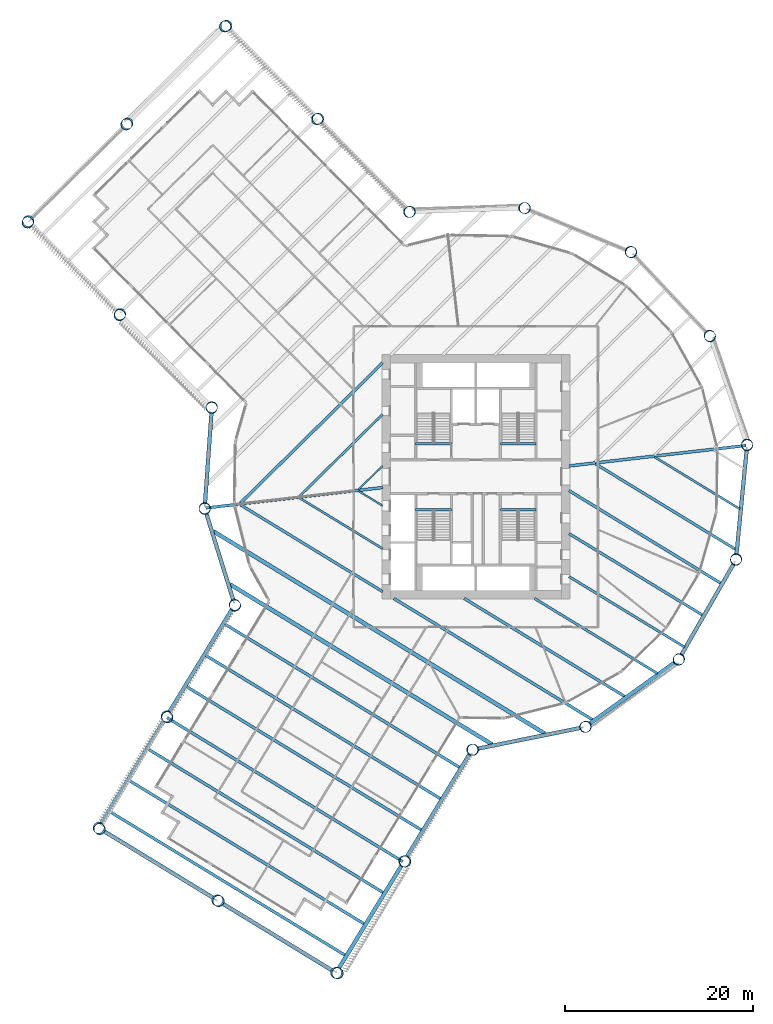
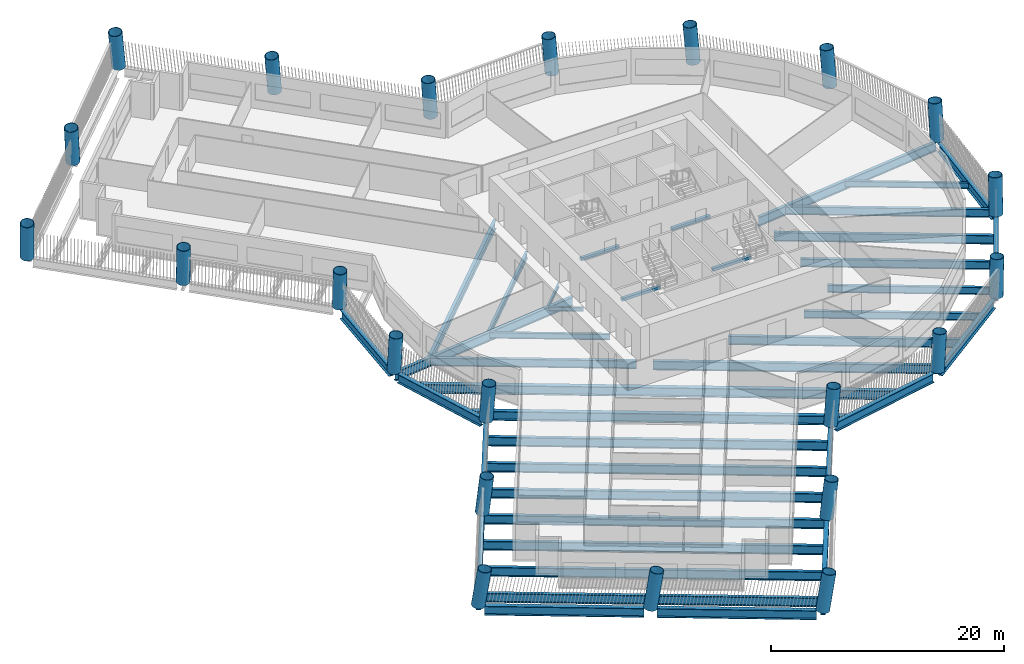
# One storey, part 1 of 15: 41 beams, 22 columns.
"""IFC4 building model written with IfcOpenShell, lengths in metres."""

from ifc_helpers import new_model, si_unit, direction, frame, origin, origin_2d, place, context, subcontext, project, spatial, rectangle, hollow_circle, i_section, extrude, material, material_profile, profile_set, type_object, element, save


model = new_model("IFC4")

# Units and contexts
model_context = context("Model", 3, precision=1e-05, world=origin(), true_north=direction((0.0, 1.0)))
body_context = subcontext(model_context, "Body", "Model", "MODEL_VIEW")
ifc_project = project(units=[si_unit("LENGTHUNIT", "METRE"), si_unit("AREAUNIT", "SQUARE_METRE"), si_unit("VOLUMEUNIT", "CUBIC_METRE"), si_unit("PLANEANGLEUNIT", "RADIAN"), si_unit("MASSUNIT", "GRAM", prefix="KILO")], contexts=[model_context])

# Site, building, storey
site_placement = place(None, origin())
site = spatial("IfcSite", under=ifc_project, at=site_placement, CompositionType="ELEMENT")
building_placement = place(site_placement, origin())
building = spatial("IfcBuilding", under=site, at=building_placement, Name="Tarsis Ring Headquarters", CompositionType="ELEMENT")
storey_placement = place(building_placement, frame((0.0, 0.0, 75.10009765625)))
storey = spatial("IfcBuildingStorey", under=building, at=storey_placement, Name="L16", CompositionType="ELEMENT", Elevation=75.10009765625)

# Columns
ifc_material_1 = material(Name="Structural steel S460", Category="steel")
ifc_material_profile_1 = material_profile(ifc_material_1, hollow_circle(Radius=0.609619140625, WallThickness=0.050048828125, at=origin_2d()), Name="CHS 1219x50")
ifc_profile_set_1 = profile_set([ifc_material_profile_1], Name="Structural steel S460")
column_type = type_object("IfcColumnType", Name="XC Exo column CHS 1219x50", PredefinedType="COLUMN", material=ifc_profile_set_1)
column_1_placement = place(storey_placement, frame((-28.85595703125, -3.3388671875, 0.00048828125), z_axis=(0.009302351837, -0.077165817921, 0.996974875709), x_axis=(0.992812078053, 0.119683656659, 0.0)))
element("IfcColumn", 1, at=column_1_placement, inside=storey, type_object=column_type, Name="Exo column XC1 F1", PredefinedType="COLUMN", context=body_context, shape_type="SweptSolid", body=[
    extrude(hollow_circle(Radius=0.609619140625, WallThickness=0.050048828125, at=origin_2d()), origin(), (0.0, 0.0, 1.0), 3.910400390625),
])
column_2_placement = place(storey_placement, frame((-25.655517578125, -13.6240234375, 0.00048828125), z_axis=(0.036834700279, -0.06848756984, 0.996971743648), x_axis=(0.880703004601, 0.473668890351, 0.0)))
element("IfcColumn", 2, at=column_2_placement, inside=storey, type_object=column_type, Name="Exo column XC1 AK", PredefinedType="COLUMN", context=body_context, shape_type="SweptSolid", body=[
    extrude(hollow_circle(Radius=0.609619140625, WallThickness=0.050048828125, at=origin_2d()), origin(), (0.0, 0.0, 1.0), 3.91064453125),
])
column_3_placement = place(storey_placement, frame((-32.898681640625, -25.490234375, 0.000732421875), z_axis=(0.068523590192, -0.087443818546, 0.993809889358), x_axis=(0.78711472242, 0.616806625896, 0.0)))
element("IfcColumn", 3, at=column_3_placement, inside=storey, type_object=column_type, Name="Exo column XC1 AI1", PredefinedType="COLUMN", context=body_context, shape_type="SweptSolid", body=[
    extrude(hollow_circle(Radius=0.609619140625, WallThickness=0.050048828125, at=origin_2d()), origin(), (0.0, 0.0, 1.0), 3.922607421875),
])
column_4_placement = place(storey_placement, frame((-40.141845703125, -37.356689453125, 0.000732421875), z_axis=(0.099819538262, -0.106077622288, 0.989334927025), x_axis=(0.728262431789, 0.685298351409, 0.0)))
element("IfcColumn", 4, at=column_4_placement, inside=storey, type_object=column_type, Name="Exo column XC1 AT1", PredefinedType="COLUMN", context=body_context, shape_type="SweptSolid", body=[
    extrude(hollow_circle(Radius=0.609619140625, WallThickness=0.050048828125, at=origin_2d()), origin(), (0.0, 0.0, 1.0), 3.940185546875),
])
column_5_placement = place(storey_placement, frame((-27.50927734375, -45.067626953125, 0.000732421875), z_axis=(0.120235173808, -0.072488353884, 0.990095420417), x_axis=(0.51631324303, 0.856399810294, 0.0)))
element("IfcColumn", 5, at=column_5_placement, inside=storey, type_object=column_type, Name="Exo column XC1 AT2", PredefinedType="COLUMN", context=body_context, shape_type="SweptSolid", body=[
    extrude(hollow_circle(Radius=0.609619140625, WallThickness=0.050048828125, at=origin_2d()), origin(), (0.0, 0.0, 1.0), 3.937255859375),
])
column_6_placement = place(storey_placement, frame((-14.876708984375, -52.778564453125, 0.000732421875), z_axis=(0.14040404367, -0.038787701385, 0.989334230047), x_axis=(0.266283379159, 0.963894787818, 0.0)))
element("IfcColumn", 6, at=column_6_placement, inside=storey, type_object=column_type, Name="Exo column XC1 AT3", PredefinedType="COLUMN", context=body_context, shape_type="SweptSolid", body=[
    extrude(hollow_circle(Radius=0.609619140625, WallThickness=0.050048828125, at=origin_2d()), origin(), (0.0, 0.0, 1.0), 3.940185546875),
])
column_7_placement = place(storey_placement, frame((-7.633544921875, -40.912109375, 0.000732421875), z_axis=(0.109289545256, -0.019791614688, 0.993812903562), x_axis=(0.178195028517, 0.983995188917, 0.0)))
element("IfcColumn", 7, at=column_7_placement, inside=storey, type_object=column_type, Name="Exo column XC1 AO1", PredefinedType="COLUMN", context=body_context, shape_type="SweptSolid", body=[
    extrude(hollow_circle(Radius=0.609619140625, WallThickness=0.050048828125, at=origin_2d()), origin(), (0.0, 0.0, 1.0), 3.922607421875),
])
column_8_placement = place(storey_placement, frame((-0.390380859375, -29.0458984375, 0.00048828125), z_axis=(0.077789724631, -0.000624315607, 0.996969592802), x_axis=(0.008025423722, 0.999967795768, 0.0)))
element("IfcColumn", 8, at=column_8_placement, inside=storey, type_object=column_type, Name="Exo column XC1 AJ", PredefinedType="COLUMN", context=body_context, shape_type="SweptSolid", body=[
    extrude(hollow_circle(Radius=0.609619140625, WallThickness=0.050048828125, at=origin_2d()), origin(), (0.0, 0.0, 1.0), 3.91064453125),
])
column_9_placement = place(storey_placement, frame((11.616943359375, -26.62451171875, 0.00048828125), z_axis=(0.071109724883, 0.031465585023, 0.996972077837), x_axis=(-0.404648058593, 0.914472497496, 0.0)))
element("IfcColumn", 9, at=column_9_placement, inside=storey, type_object=column_type, Name="Exo column XC1 R1", PredefinedType="COLUMN", context=body_context, shape_type="SweptSolid", body=[
    extrude(hollow_circle(Radius=0.609619140625, WallThickness=0.050048828125, at=origin_2d()), origin(), (0.0, 0.0, 1.0), 3.910400390625),
])
for number, where, z_axis, x_axis, name in (
    (10, (21.558349609375, -19.46923828125, 0.00048828125), (0.051818263546, 0.057998996186, 0.996970904292), (-0.745723983199, 0.6662550119, 0.0), "Exo column XC1 R2"),
    (11, (27.666748046875, -8.852294921875, 0.00048828125), (0.023349359062, 0.074230983755, 0.996967686779), (-0.953921566742, 0.300056068933, 0.0), "Exo column XC1 R3"),
):
    element("IfcColumn", number, at=place(storey_placement, frame(where, z_axis=z_axis, x_axis=x_axis)), inside=storey, type_object=column_type, Name=name, PredefinedType="COLUMN", context=body_context, shape_type="SweptSolid", body=[
        extrude(hollow_circle(Radius=0.609619140625, WallThickness=0.050048828125, at=origin_2d()), origin(), (0.0, 0.0, 1.0), 3.91064453125),
    ])
column_10_placement = place(storey_placement, frame((28.85595703125, 3.3388671875, 0.00048828125), z_axis=(-0.009302351837, 0.077165817921, 0.996974875709), x_axis=(-0.992812078053, -0.119683656659, 0.0)))
element("IfcColumn", 12, at=column_10_placement, inside=storey, type_object=column_type, Name="Exo column XC1 R4", PredefinedType="COLUMN", context=body_context, shape_type="SweptSolid", body=[
    extrude(hollow_circle(Radius=0.609619140625, WallThickness=0.050048828125, at=origin_2d()), origin(), (0.0, 0.0, 1.0), 3.910400390625),
])
for number, where, z_axis, x_axis, name in (
    (13, (24.914306640625, 14.93603515625, 0.00048828125), (-0.040330872705, 0.066489751441, 0.996971681473), (-0.8550036713, -0.51862194522, 0.0), "Exo column XC1 R5"),
    (14, (16.54296875, 23.877685546875, 0.00048828125), (-0.064179671415, 0.043951837234, 0.996970012478), (-0.565029134838, -0.825070952576, 0.0), "Exo column XC1 R6"),
):
    element("IfcColumn", number, at=place(storey_placement, frame(where, z_axis=z_axis, x_axis=x_axis)), inside=storey, type_object=column_type, Name=name, PredefinedType="COLUMN", context=body_context, shape_type="SweptSolid", body=[
        extrude(hollow_circle(Radius=0.609619140625, WallThickness=0.050048828125, at=origin_2d()), origin(), (0.0, 0.0, 1.0), 3.91064453125),
    ])
for number, where, z_axis, x_axis, name in (
    (15, (5.22998046875, 28.57373046875, 0.00048828125), (-0.07654139414, 0.013610133705, 0.9969735098), (-0.175067932863, -0.984556356377, 0.0), "Exo column XC1 R7"),
    (16, (-7.0126953125, 28.189208984375, 0.00048828125), (-0.075355116691, -0.019166545836, 0.996972542204), (0.246501040352, -0.969142526724, 0.0), "Exo column XC1 BJ"),
):
    element("IfcColumn", number, at=place(storey_placement, frame(where, z_axis=z_axis, x_axis=x_axis)), inside=storey, type_object=column_type, Name=name, PredefinedType="COLUMN", context=body_context, shape_type="SweptSolid", body=[
        extrude(hollow_circle(Radius=0.609619140625, WallThickness=0.050048828125, at=origin_2d()), origin(), (0.0, 0.0, 1.0), 3.910400390625),
    ])
column_11_placement = place(storey_placement, frame((-16.774169921875, 38.088134765625, 0.000732421875), z_axis=(-0.101447147749, -0.045308910161, 0.993808622861), x_axis=(0.407800967141, -0.913070846758, 0.0)))
element("IfcColumn", 17, at=column_11_placement, inside=storey, type_object=column_type, Name="Exo column XC1 BO1", PredefinedType="COLUMN", context=body_context, shape_type="SweptSolid", body=[
    extrude(hollow_circle(Radius=0.609619140625, WallThickness=0.050048828125, at=origin_2d()), origin(), (0.0, 0.0, 1.0), 3.922607421875),
])
column_12_placement = place(storey_placement, frame((-26.535888671875, 47.98681640625, 0.000732421875), z_axis=(-0.127082347571, -0.071193377552, 0.989333907197), x_axis=(0.488745841983, -0.872426215759, 0.0)))
element("IfcColumn", 18, at=column_12_placement, inside=storey, type_object=column_type, Name="Exo column XC1 BT3", PredefinedType="COLUMN", context=body_context, shape_type="SweptSolid", body=[
    extrude(hollow_circle(Radius=0.609619140625, WallThickness=0.050048828125, at=origin_2d()), origin(), (0.0, 0.0, 1.0), 3.940185546875),
])
column_13_placement = place(storey_placement, frame((-37.07373046875, 37.594970703125, 0.000732421875), z_axis=(-0.09946218031, -0.099090127266, 0.990095157733), x_axis=(0.705780545016, -0.708430534546, 0.0)))
element("IfcColumn", 19, at=column_13_placement, inside=storey, type_object=column_type, Name="Exo column XC1 BT2", PredefinedType="COLUMN", context=body_context, shape_type="SweptSolid", body=[
    extrude(hollow_circle(Radius=0.609619140625, WallThickness=0.050048828125, at=origin_2d()), origin(), (0.0, 0.0, 1.0), 3.937255859375),
])
column_14_placement = place(storey_placement, frame((-47.61181640625, 27.202880859375, 0.000732421875), z_axis=(-0.07156549732, -0.126835128151, 0.989338784169), x_axis=(0.870927110088, -0.491412218931, 0.0)))
element("IfcColumn", 20, at=column_14_placement, inside=storey, type_object=column_type, Name="Exo column XC1 BT1", PredefinedType="COLUMN", context=body_context, shape_type="SweptSolid", body=[
    extrude(hollow_circle(Radius=0.609619140625, WallThickness=0.050048828125, at=origin_2d()), origin(), (0.0, 0.0, 1.0), 3.940185546875),
])
column_15_placement = place(storey_placement, frame((-37.85009765625, 17.30419921875, 0.000732421875), z_axis=(-0.045682711447, -0.101199031079, 0.993816807054), x_axis=(0.911438414105, -0.411436528876, 0.0)))
element("IfcColumn", 21, at=column_15_placement, inside=storey, type_object=column_type, Name="Exo column XC1 BI1", PredefinedType="COLUMN", context=body_context, shape_type="SweptSolid", body=[
    extrude(hollow_circle(Radius=0.609619140625, WallThickness=0.050048828125, at=origin_2d()), origin(), (0.0, 0.0, 1.0), 3.922607421875),
])
column_16_placement = place(storey_placement, frame((-28.088623046875, 7.405517578125, 0.00048828125), z_axis=(-0.019416270585, -0.075292676288, 0.99697242757), x_axis=(0.968321175622, -0.249708031193, 0.0)))
element("IfcColumn", 22, at=column_16_placement, inside=storey, type_object=column_type, Name="Exo column XC1 BK", PredefinedType="COLUMN", context=body_context, shape_type="SweptSolid", body=[
    extrude(hollow_circle(Radius=0.609619140625, WallThickness=0.050048828125, at=origin_2d()), origin(), (0.0, 0.0, 1.0), 3.910400390625),
])

# Beams
ifc_material_2 = material(Name="Structural steel S355", Category="steel")
ifc_material_profile_2 = material_profile(ifc_material_2, i_section(OverallWidth=0.177734375, OverallDepth=0.406494140625, WebThickness=0.0078125, FlangeThickness=0.0126953125, at=origin_2d()), Name="W16x40")
ifc_profile_set_2 = profile_set([ifc_material_profile_2], Name="Structural steel S355")
beam_type_1 = type_object("IfcBeamType", Name="FB Floor beam W16x40", PredefinedType="JOIST", material=ifc_profile_set_2)
beam_1_placement = place(storey_placement, frame((-12.455810546875, -1.53515625, -0.36328125), z_axis=(0.853539154742, -0.521028704893, 0.0), x_axis=(0.521028704893, 0.853539154742, 0.0)))
element("IfcBeam", 23, at=beam_1_placement, inside=storey, type_object=beam_type_1, Name="Floor beam FB1", PredefinedType="JOIST", context=body_context, shape_type="SweptSolid", body=[
    extrude(i_section(OverallWidth=0.177734375, OverallDepth=0.406494140625, WebThickness=0.0078125, FlangeThickness=0.0126953125, at=origin_2d()), origin(), (0.0, 0.0, 1.0), 2.977294921875),
])
beam_2_placement = place(storey_placement, frame((-9.9287109375, 1.16357421875, -0.36328125), z_axis=(-0.712034647693, -0.702144330238, 0.0), x_axis=(0.702144330238, -0.712034647693, 0.0)))
element("IfcBeam", 24, at=beam_2_placement, inside=storey, type_object=beam_type_1, Name="Floor beam FB1", PredefinedType="JOIST", context=body_context, shape_type="SweptSolid", body=[
    extrude(i_section(OverallWidth=0.177734375, OverallDepth=0.406494140625, WebThickness=0.0078125, FlangeThickness=0.0126953125, at=origin_2d()), origin(), (0.0, 0.0, 1.0), 3.579345703125),
])
ifc_material_profile_3 = material_profile(ifc_material_2, i_section(OverallWidth=0.228271484375, OverallDepth=0.607177734375, WebThickness=0.01123046875, FlangeThickness=0.017333984375, at=origin_2d()), Name="W24x76")
ifc_profile_set_3 = profile_set([ifc_material_profile_3], Name="Structural steel S355")
beam_type_2 = type_object("IfcBeamType", Name="FB Floor beam W24x76", PredefinedType="JOIST", material=ifc_profile_set_3)
beam_3_placement = place(storey_placement, frame((19.007568359375, 2.105224609375, -0.463623046875), z_axis=(0.853551615099, -0.521008292027, 0.0), x_axis=(0.521008292027, 0.853551615099, 0.0)))
element("IfcBeam", 25, at=beam_3_placement, inside=storey, type_object=beam_type_2, Name="Floor beam FB4", PredefinedType="JOIST", context=body_context, shape_type="SweptSolid", body=[
    extrude(i_section(OverallWidth=0.228271484375, OverallDepth=0.607177734375, WebThickness=0.01123046875, FlangeThickness=0.017333984375, at=origin_2d()), origin(), (0.0, 0.0, 1.0), 10.62109375),
])
beam_4_placement = place(storey_placement, frame((-18.74853515625, -2.26318359375, -0.463623046875), z_axis=(0.853548782409, -0.521012932707, 0.0), x_axis=(0.521012932707, 0.853548782409, 0.0)))
element("IfcBeam", 26, at=beam_4_placement, inside=storey, type_object=beam_type_2, Name="Floor beam FB4", PredefinedType="JOIST", context=body_context, shape_type="SweptSolid", body=[
    extrude(i_section(OverallWidth=0.228271484375, OverallDepth=0.607177734375, WebThickness=0.01123046875, FlangeThickness=0.017333984375, at=origin_2d()), origin(), (0.0, 0.0, 1.0), 10.349609375),
])
ifc_material_profile_4 = material_profile(ifc_material_2, i_section(OverallWidth=0.2529296875, OverallDepth=0.67822265625, WebThickness=0.01171875, FlangeThickness=0.016357421875, at=origin_2d()), Name="W27x84")
ifc_profile_set_4 = profile_set([ifc_material_profile_4], Name="Structural steel S355")
beam_type_3 = type_object("IfcBeamType", Name="FB Floor beam W27x84", PredefinedType="JOIST", material=ifc_profile_set_4)
beam_5_placement = place(storey_placement, frame((-9.9287109375, 6.640869140625, -0.499267578125), z_axis=(-0.71203444712, -0.702144533636, 0.0), x_axis=(0.702144533636, -0.71203444712, 0.0)))
element("IfcBeam", 27, at=beam_5_placement, inside=storey, type_object=beam_type_3, Name="Floor beam FB5", PredefinedType="JOIST", context=body_context, shape_type="SweptSolid", body=[
    extrude(i_section(OverallWidth=0.2529296875, OverallDepth=0.67822265625, WebThickness=0.01171875, FlangeThickness=0.016357421875, at=origin_2d()), origin(), (0.0, 0.0, 1.0), 12.4169921875),
])
ifc_material_profile_5 = material_profile(ifc_material_2, i_section(OverallWidth=0.2666015625, OverallDepth=0.7568359375, WebThickness=0.013916015625, FlangeThickness=0.019287109375, at=origin_2d()), Name="W30x108")
ifc_profile_set_5 = profile_set([ifc_material_profile_5], Name="Structural steel S355")
beam_type_4 = type_object("IfcBeamType", Name="FB Floor beam W30x108", PredefinedType="JOIST", material=ifc_profile_set_5)
beam_6_placement = place(storey_placement, frame((9.91455078125, -10.62109375, -0.53857421875), z_axis=(0.853549560789, -0.521011657525, 0.0), x_axis=(0.521011657525, 0.853549560789, 0.0)))
element("IfcBeam", 28, at=beam_6_placement, inside=storey, type_object=beam_type_4, Name="Floor beam FB6", PredefinedType="JOIST", context=body_context, shape_type="SweptSolid", body=[
    extrude(i_section(OverallWidth=0.2666015625, OverallDepth=0.7568359375, WebThickness=0.013916015625, FlangeThickness=0.019287109375, at=origin_2d()), origin(), (0.0, 0.0, 1.0), 14.39794921875),
])
beam_7_placement = place(storey_placement, frame((6.2412109375, -12.947998046875, -0.53857421875), z_axis=(0.853553062138, -0.521005921382, 0.0), x_axis=(0.521005921382, 0.853553062138, 0.0)))
element("IfcBeam", 29, at=beam_7_placement, inside=storey, type_object=beam_type_4, Name="Floor beam FB6", PredefinedType="JOIST", context=body_context, shape_type="SweptSolid", body=[
    extrude(i_section(OverallWidth=0.2666015625, OverallDepth=0.7568359375, WebThickness=0.013916015625, FlangeThickness=0.019287109375, at=origin_2d()), origin(), (0.0, 0.0, 1.0), 15.323974609375),
])
ifc_material_profile_6 = material_profile(ifc_material_2, i_section(OverallWidth=0.2919921875, OverallDepth=0.835693359375, WebThickness=0.013916015625, FlangeThickness=0.018798828125, at=origin_2d()), Name="W33x118")
ifc_profile_set_6 = profile_set([ifc_material_profile_6], Name="Structural steel S355")
beam_type_5 = type_object("IfcBeamType", Name="FB Floor beam W33x118", PredefinedType="JOIST", material=ifc_profile_set_6)
beam_8_placement = place(storey_placement, frame((12.71484375, 1.377197265625, -0.577880859375), z_axis=(0.853547593043, -0.52101488118, 0.0), x_axis=(0.52101488118, 0.853547593043, 0.0)))
element("IfcBeam", 30, at=beam_8_placement, inside=storey, type_object=beam_type_5, Name="Floor beam FB7", PredefinedType="JOIST", context=body_context, shape_type="SweptSolid", body=[
    extrude(i_section(OverallWidth=0.2919921875, OverallDepth=0.835693359375, WebThickness=0.013916015625, FlangeThickness=0.018798828125, at=origin_2d()), origin(), (0.0, 0.0, 1.0), 17.500732421875),
])
beam_9_placement = place(storey_placement, frame((9.91455078125, -6.052001953125, -0.577880859375), z_axis=(0.853551672254, -0.521008198393, 0.0), x_axis=(0.521008198393, 0.853551672254, 0.0)))
element("IfcBeam", 31, at=beam_9_placement, inside=storey, type_object=beam_type_5, Name="Floor beam FB7", PredefinedType="JOIST", context=body_context, shape_type="SweptSolid", body=[
    extrude(i_section(OverallWidth=0.2919921875, OverallDepth=0.835693359375, WebThickness=0.013916015625, FlangeThickness=0.018798828125, at=origin_2d()), origin(), (0.0, 0.0, 1.0), 16.67724609375),
])
beam_10_placement = place(storey_placement, frame((-25.041259765625, -2.991455078125, -0.577880859375), z_axis=(0.853556526145, -0.521000246329, 0.0), x_axis=(0.521000246329, 0.853556526145, 0.0)))
element("IfcBeam", 32, at=beam_10_placement, inside=storey, type_object=beam_type_5, Name="Floor beam FB7", PredefinedType="JOIST", context=body_context, shape_type="SweptSolid", body=[
    extrude(i_section(OverallWidth=0.2919921875, OverallDepth=0.835693359375, WebThickness=0.013916015625, FlangeThickness=0.018798828125, at=origin_2d()), origin(), (0.0, 0.0, 1.0), 17.721923828125),
])
ifc_material_profile_7 = material_profile(ifc_material_2, i_section(OverallWidth=0.3046875, OverallDepth=0.904296875, WebThickness=0.01513671875, FlangeThickness=0.02001953125, at=origin_2d()), Name="W36x135")
ifc_profile_set_7 = profile_set([ifc_material_profile_7], Name="Structural steel S355")
beam_type_6 = type_object("IfcBeamType", Name="FB Floor beam W36x135", PredefinedType="JOIST", material=ifc_profile_set_7)
beam_11_placement = place(storey_placement, frame((9.91455078125, -1.482666015625, -0.6123046875), z_axis=(0.853547548579, -0.521014954022, 0.0), x_axis=(0.521014954022, 0.853547548579, 0.0)))
element("IfcBeam", 33, at=beam_11_placement, inside=storey, type_object=beam_type_6, Name="Floor beam FB8", PredefinedType="JOIST", context=body_context, shape_type="SweptSolid", body=[
    extrude(i_section(OverallWidth=0.3046875, OverallDepth=0.904296875, WebThickness=0.01513671875, FlangeThickness=0.02001953125, at=origin_2d()), origin(), (0.0, 0.0, 1.0), 18.956787109375),
])
beam_12_placement = place(storey_placement, frame((-1.244384765625, -12.947998046875, -0.6123046875), z_axis=(0.85355025044, -0.5210105277, 0.0), x_axis=(0.5210105277, 0.85355025044, 0.0)))
element("IfcBeam", 34, at=beam_12_placement, inside=storey, type_object=beam_type_6, Name="Floor beam FB8", PredefinedType="JOIST", context=body_context, shape_type="SweptSolid", body=[
    extrude(i_section(OverallWidth=0.3046875, OverallDepth=0.904296875, WebThickness=0.01513671875, FlangeThickness=0.02001953125, at=origin_2d()), origin(), (0.0, 0.0, 1.0), 20.0693359375),
])
ifc_material_profile_8 = material_profile(ifc_material_2, i_section(OverallWidth=0.3046875, OverallDepth=0.91943359375, WebThickness=0.017333984375, FlangeThickness=0.02783203125, at=origin_2d()), Name="W36x170")
ifc_profile_set_8 = profile_set([ifc_material_profile_8], Name="Structural steel S355")
beam_type_7 = type_object("IfcBeamType", Name="FB Floor beam W36x170", PredefinedType="JOIST", material=ifc_profile_set_8)
beam_13_placement = place(storey_placement, frame((-9.9287109375, 12.1181640625, -0.619873046875), z_axis=(-0.712028670695, -0.702150391375, 0.0), x_axis=(0.702150391375, -0.712028670695, 0.0)))
element("IfcBeam", 35, at=beam_13_placement, inside=storey, type_object=beam_type_7, Name="Floor beam FB9", PredefinedType="JOIST", context=body_context, shape_type="SweptSolid", body=[
    extrude(i_section(OverallWidth=0.3046875, OverallDepth=0.91943359375, WebThickness=0.017333984375, FlangeThickness=0.02783203125, at=origin_2d()), origin(), (0.0, 0.0, 1.0), 21.2548828125),
])
ifc_material_profile_9 = material_profile(ifc_material_2, i_section(OverallWidth=0.309814453125, OverallDepth=0.93212890625, WebThickness=0.02099609375, FlangeThickness=0.034423828125, at=origin_2d()), Name="W36x210")
ifc_profile_set_9 = profile_set([ifc_material_profile_9], Name="Structural steel S355")
beam_type_8 = type_object("IfcBeamType", Name="FB Floor beam W36x210", PredefinedType="JOIST", material=ifc_profile_set_9)
beam_14_placement = place(storey_placement, frame((-8.729736328125, -12.947998046875, -0.626220703125), z_axis=(0.853552889412, -0.521006204355, 0.0), x_axis=(0.521006204355, 0.853552889412, 0.0)))
element("IfcBeam", 36, at=beam_14_placement, inside=storey, type_object=beam_type_8, Name="Floor beam FB10", PredefinedType="JOIST", context=body_context, shape_type="SweptSolid", body=[
    extrude(i_section(OverallWidth=0.309814453125, OverallDepth=0.93212890625, WebThickness=0.02099609375, FlangeThickness=0.034423828125, at=origin_2d()), origin(), (0.0, 0.0, 1.0), 24.814453125),
])
ifc_material_profile_10 = material_profile(ifc_material_2, i_section(OverallWidth=0.309814453125, OverallDepth=0.949951171875, WebThickness=0.0244140625, FlangeThickness=0.0439453125, at=origin_2d()), Name="W36x256")
ifc_profile_set_10 = profile_set([ifc_material_profile_10], Name="Structural steel S355")
beam_type_9 = type_object("IfcBeamType", Name="FB Floor beam W36x256", PredefinedType="JOIST", material=ifc_profile_set_10)
for number, where, z_axis, x_axis, name in (
    (37, (-26.760498046875, -15.6494140625, -0.635009765625), (0.853549202626, -0.521012244286, 0.0), (0.521012244286, 0.853549202626, 0.0), "Floor beam FB11"),
    (38, (-28.79248046875, -18.978271484375, -0.635009765625), (0.853552898571, -0.521006189349, 0.0), (0.521006189349, 0.853552898571, 0.0), "Floor beam FB11"),
    (39, (-30.82421875, -22.30712890625, -0.635009765625), (0.853552898571, -0.521006189349, 0.0), (0.521006189349, 0.853552898571, 0.0), "Floor beam FB11"),
    (40, (-32.856201171875, -25.635986328125, -0.635009765625), (0.853552898571, -0.521006189349, 0.0), (0.521006189349, 0.853552898571, 0.0), "Floor beam FB11"),
    (41, (-34.88818359375, -28.96484375, -0.635009765625), (0.853552898571, -0.521006189349, 0.0), (0.521006189349, 0.853552898571, 0.0), "Floor beam FB11"),
    (42, (-36.920166015625, -32.293701171875, -0.635009765625), (0.853552898571, -0.521006189349, 0.0), (0.521006189349, 0.853552898571, 0.0), "Floor beam FB11"),
    (43, (-38.9521484375, -35.62255859375, -0.635009765625), (0.853552898571, -0.521006189349, 0.0), (0.521006189349, 0.853552898571, 0.0), "Floor beam FB11"),
):
    element("IfcBeam", number, at=place(storey_placement, frame(where, z_axis=z_axis, x_axis=x_axis)), inside=storey, type_object=beam_type_9, Name=name, PredefinedType="JOIST", context=body_context, shape_type="SweptSolid", body=[
        extrude(i_section(OverallWidth=0.309814453125, OverallDepth=0.949951171875, WebThickness=0.0244140625, FlangeThickness=0.0439453125, at=origin_2d()), origin(), (0.0, 0.0, 1.0), 29.375732421875),
    ])
beam_type_10 = type_object("IfcBeamType", Name="FB Floor beam W36x256 spine", PredefinedType="BEAM", material=ifc_profile_set_10)
beam_15_placement = place(storey_placement, frame((-9.900634765625, -1.1455078125, -0.635009765625), z_axis=(-0.993372579888, -0.11493875555, 0.0), x_axis=(0.11493875555, -0.993372579888, 0.0)))
element("IfcBeam", 44, at=beam_15_placement, inside=storey, type_object=beam_type_10, Name="Floor beam SB11", PredefinedType="BEAM", context=body_context, shape_type="SweptSolid", body=[
    extrude(i_section(OverallWidth=0.309814453125, OverallDepth=0.949951171875, WebThickness=0.0244140625, FlangeThickness=0.0439453125, at=origin_2d()), origin(), (0.0, 0.0, 1.0), 18.966064453125),
])
beam_16_placement = place(storey_placement, frame((28.73974609375, 3.3251953125, -0.635009765625), z_axis=(-0.993373199371, -0.114933401464, 0.0), x_axis=(0.114933401464, -0.993373199371, 0.0)))
element("IfcBeam", 45, at=beam_16_placement, inside=storey, type_object=beam_type_10, Name="Floor beam SB11", PredefinedType="BEAM", context=body_context, shape_type="SweptSolid", body=[
    extrude(i_section(OverallWidth=0.309814453125, OverallDepth=0.949951171875, WebThickness=0.0244140625, FlangeThickness=0.0439453125, at=origin_2d()), origin(), (0.0, 0.0, 1.0), 18.96484375),
])
ifc_material_profile_11 = material_profile(ifc_material_2, i_section(OverallWidth=0.42431640625, OverallDepth=0.947509765625, WebThickness=0.02392578125, FlangeThickness=0.042724609375, at=origin_2d()), Name="W36x302")
ifc_profile_set_11 = profile_set([ifc_material_profile_11], Name="Structural steel S355")
beam_type_11 = type_object("IfcBeamType", Name="FB Floor beam W36x302", PredefinedType="JOIST", material=ifc_profile_set_11)
beam_17_placement = place(storey_placement, frame((-27.93994140625, -5.791259765625, -0.6337890625), z_axis=(0.853552286723, -0.521007191726, 0.0), x_axis=(0.521007191726, 0.853552286723, 0.0)))
element("IfcBeam", 46, at=beam_17_placement, inside=storey, type_object=beam_type_11, Name="Floor beam FB12", PredefinedType="JOIST", context=body_context, shape_type="SweptSolid", body=[
    extrude(i_section(OverallWidth=0.42431640625, OverallDepth=0.947509765625, WebThickness=0.02392578125, FlangeThickness=0.042724609375, at=origin_2d()), origin(), (0.0, 0.0, 1.0), 41.35302734375),
])
beam_18_placement = place(storey_placement, frame((-26.1845703125, -11.431640625, -0.6337890625), z_axis=(0.853548918561, -0.521012709656, 0.0), x_axis=(0.521012709656, 0.853548918561, 0.0)))
element("IfcBeam", 47, at=beam_18_placement, inside=storey, type_object=beam_type_11, Name="Floor beam FB12", PredefinedType="JOIST", context=body_context, shape_type="SweptSolid", body=[
    extrude(i_section(OverallWidth=0.42431640625, OverallDepth=0.947509765625, WebThickness=0.02392578125, FlangeThickness=0.042724609375, at=origin_2d()), origin(), (0.0, 0.0, 1.0), 32.70458984375),
])
ifc_material_3 = material(Name="Concrete C40/50", Category="concrete")
ifc_material_profile_12 = material_profile(ifc_material_3, rectangle(XDim=0.300048828125, YDim=0.300048828125, at=origin_2d()), Name="Stair head beam 300x300 C40/50")
ifc_profile_set_12 = profile_set([ifc_material_profile_12], Name="Concrete C40/50")
beam_type_12 = type_object("IfcBeamType", Name="Stair head beam 300x300 C40/50", PredefinedType="BEAM", material=ifc_profile_set_12)
for number, where, z_axis, x_axis, name in (
    (48, (-6.39990234375, 3.510009765625, -0.31005859375), (1.0, 0.0, 0.0), (0.0, 1.0, 0.0), "Stair head beam L16 Firefighting stair"),
    (49, (2.60009765625, 3.510009765625, -0.31005859375), (1.0, 0.0, 0.0), (0.0, 1.0, 0.0), "Stair head beam L16 Exit stair B"),
    (50, (-6.39990234375, -3.510009765625, -0.31005859375), (1.0, 0.0, 0.0), (0.0, 1.0, 0.0), "Stair head beam L16 Exit stair C"),
    (51, (2.60009765625, -3.510009765625, -0.31005859375), (1.0, 0.0, 0.0), (0.0, 1.0, 0.0), "Stair head beam L16 Exit stair D"),
):
    element("IfcBeam", number, at=place(storey_placement, frame(where, z_axis=z_axis, x_axis=x_axis)), inside=storey, type_object=beam_type_12, Name=name, PredefinedType="BEAM", context=body_context, shape_type="SweptSolid", body=[
        extrude(rectangle(XDim=0.300048828125, YDim=0.300048828125, at=origin_2d()), origin(), (0.0, 0.0, 1.0), 3.7998046875),
    ])
beam_type_13 = type_object("IfcBeamType", Name="XG Ring girder W36x302", PredefinedType="BEAM", material=ifc_profile_set_11)
beam_19_placement = place(storey_placement, frame((-28.69287109375, -3.862548828125, -0.473876953125), z_axis=(0.297123817913, -0.954838958584, 0.0), x_axis=(0.954838958584, 0.297123817913, 0.0)))
element("IfcBeam", 52, at=beam_19_placement, inside=storey, type_object=beam_type_13, Name="Ring girder XG1", PredefinedType="BEAM", context=body_context, shape_type="SweptSolid", body=[
    extrude(i_section(OverallWidth=0.42431640625, OverallDepth=0.947509765625, WebThickness=0.02392578125, FlangeThickness=0.042724609375, at=origin_2d()), origin(), (0.0, 0.0, 1.0), 9.674560546875),
])
for number, where, z_axis, x_axis, name in (
    (53, (-25.94140625, -14.09228515625, -0.473876953125), (-0.5210026322, -0.853555069835, 0.0), (0.853555069835, -0.5210026322, 0.0), "Ring girder XG1"),
    (54, (-33.1845703125, -25.95849609375, -0.473876953125), (-0.5210026322, -0.853555069835, 0.0), (0.853555069835, -0.5210026322, 0.0), "Ring girder XG1"),
):
    element("IfcBeam", number, at=place(storey_placement, frame(where, z_axis=z_axis, x_axis=x_axis)), inside=storey, type_object=beam_type_13, Name=name, PredefinedType="BEAM", context=body_context, shape_type="SweptSolid", body=[
        extrude(i_section(OverallWidth=0.42431640625, OverallDepth=0.947509765625, WebThickness=0.02392578125, FlangeThickness=0.042724609375, at=origin_2d()), origin(), (0.0, 0.0, 1.0), 12.804931640625),
    ])
for number, where, z_axis, x_axis, name in (
    (55, (-39.673583984375, -37.642333984375, -0.473876953125), (0.853547292738, -0.521015373151, 0.0), (0.521015373151, 0.853547292738, 0.0), "Ring girder XG1"),
    (56, (-27.041015625, -45.353271484375, -0.473876953125), (0.853547292738, -0.521015373151, 0.0), (0.521015373151, 0.853547292738, 0.0), "Ring girder XG1"),
):
    element("IfcBeam", number, at=place(storey_placement, frame(where, z_axis=z_axis, x_axis=x_axis)), inside=storey, type_object=beam_type_13, Name=name, PredefinedType="BEAM", context=body_context, shape_type="SweptSolid", body=[
        extrude(i_section(OverallWidth=0.42431640625, OverallDepth=0.947509765625, WebThickness=0.02392578125, FlangeThickness=0.042724609375, at=origin_2d()), origin(), (0.0, 0.0, 1.0), 13.702880859375),
    ])
for number, where, z_axis, x_axis, name in (
    (57, (-14.5908203125, -52.31005859375, -0.473876953125), (0.5210026322, 0.853555069835, 0.0), (-0.853555069835, 0.5210026322, 0.0), "Ring girder XG1"),
    (58, (-7.34765625, -40.44384765625, -0.473876953125), (0.5210026322, 0.853555069835, 0.0), (-0.853555069835, 0.5210026322, 0.0), "Ring girder XG1"),
):
    element("IfcBeam", number, at=place(storey_placement, frame(where, z_axis=z_axis, x_axis=x_axis)), inside=storey, type_object=beam_type_13, Name=name, PredefinedType="BEAM", context=body_context, shape_type="SweptSolid", body=[
        extrude(i_section(OverallWidth=0.42431640625, OverallDepth=0.947509765625, WebThickness=0.02392578125, FlangeThickness=0.042724609375, at=origin_2d()), origin(), (0.0, 0.0, 1.0), 12.804931640625),
    ])
for number, where, z_axis, x_axis, name in (
    (59, (0.1474609375, -28.9375, -0.473876953125), (0.980263638763, 0.197694710397, 0.0), (-0.197694710397, 0.980263638763, 0.0), "Ring girder XG1"),
    (60, (12.06201171875, -26.303955078125, -0.473876953125), (0.811643954298, 0.584152455658, 0.0), (-0.584152455658, 0.811643954298, 0.0), "Ring girder XG1"),
    (61, (21.83203125, -18.99365234375, -0.473876953125), (0.498704331634, 0.866772167071, 0.0), (-0.866772167071, 0.498704331634, 0.0), "Ring girder XG1"),
):
    element("IfcBeam", number, at=place(storey_placement, frame(where, z_axis=z_axis, x_axis=x_axis)), inside=storey, type_object=beam_type_13, Name=name, PredefinedType="BEAM", context=body_context, shape_type="SweptSolid", body=[
        extrude(i_section(OverallWidth=0.42431640625, OverallDepth=0.947509765625, WebThickness=0.02392578125, FlangeThickness=0.042724609375, at=origin_2d()), origin(), (0.0, 0.0, 1.0), 11.1513671875),
    ])
beam_20_placement = place(storey_placement, frame((27.72021484375, -8.30615234375, -0.473876953125), z_axis=(0.09707351721, 0.995277213773, 0.0), x_axis=(-0.995277213773, 0.09707351721, 0.0)))
element("IfcBeam", 62, at=beam_20_placement, inside=storey, type_object=beam_type_13, Name="Ring girder XG1", PredefinedType="BEAM", context=body_context, shape_type="SweptSolid", body=[
    extrude(i_section(OverallWidth=0.42431640625, OverallDepth=0.947509765625, WebThickness=0.02392578125, FlangeThickness=0.042724609375, at=origin_2d()), origin(), (0.0, 0.0, 1.0), 11.151611328125),
])
beam_21_placement = place(storey_placement, frame((-28.127685546875, 6.8583984375, -0.473876953125), z_axis=(-0.071239876437, -0.997459212201, 0.0), x_axis=(0.997459212201, -0.071239876437, 0.0)))
element("IfcBeam", 63, at=beam_21_placement, inside=storey, type_object=beam_type_13, Name="Ring girder XG1", PredefinedType="BEAM", context=body_context, shape_type="SweptSolid", body=[
    extrude(i_section(OverallWidth=0.42431640625, OverallDepth=0.947509765625, WebThickness=0.02392578125, FlangeThickness=0.042724609375, at=origin_2d()), origin(), (0.0, 0.0, 1.0), 9.674560546875),
])

save(model, "model.ifc")
